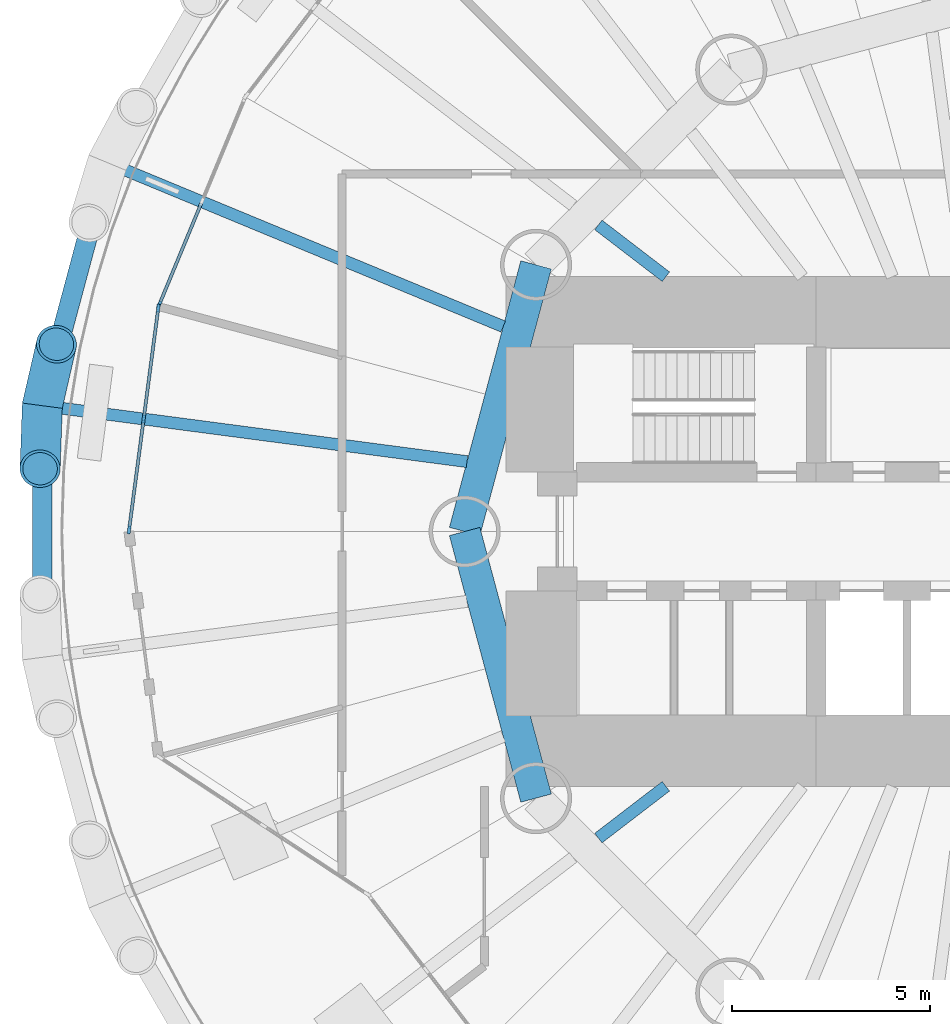
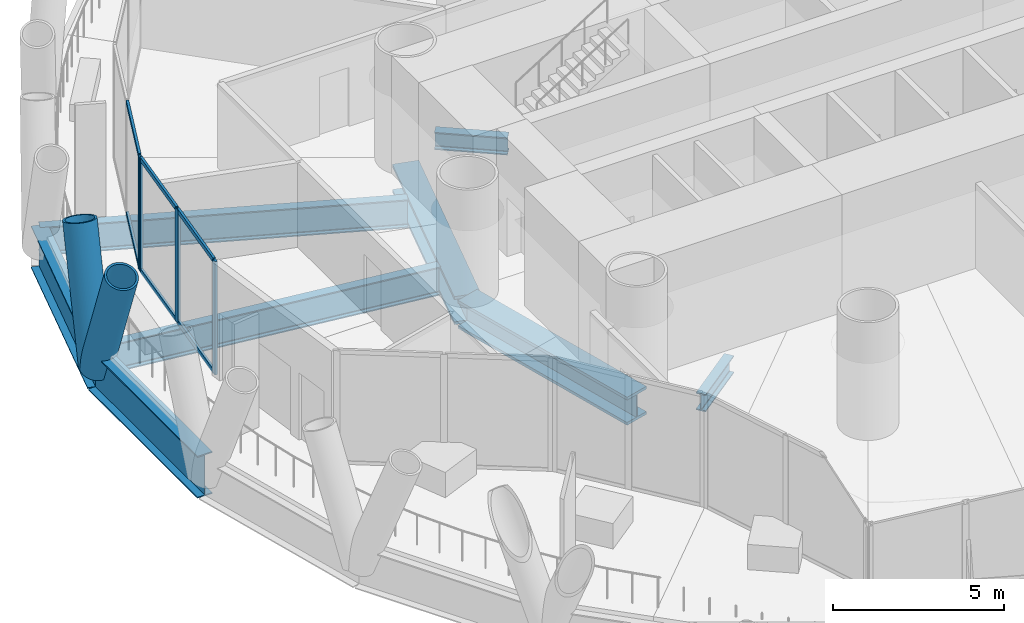
# One storey, part 3 of 14: 12 members, 8 beams, 2 elements without a shape of their own.
"""IFC4 building model written with IfcOpenShell, lengths in metres."""

from ifc_helpers import new_model, si_unit, direction, frame, origin, origin_2d, place, context, subcontext, project, spatial, rectangle, hollow_circle, i_section, extrude, material, material_profile, profile_set, type_object, element, aggregate, save


model = new_model("IFC4")

# Units and contexts
model_context = context("Model", 3, precision=1e-05, world=origin(), true_north=direction((0.0, 1.0)))
body_context = subcontext(model_context, "Body", "Model", "MODEL_VIEW")
ifc_project = project(units=[si_unit("LENGTHUNIT", "METRE"), si_unit("AREAUNIT", "SQUARE_METRE"), si_unit("VOLUMEUNIT", "CUBIC_METRE"), si_unit("PLANEANGLEUNIT", "RADIAN"), si_unit("MASSUNIT", "GRAM", prefix="KILO")], contexts=[model_context])

# Site, building, storey
site_placement = place(None, origin())
site = spatial("IfcSite", under=ifc_project, at=site_placement, CompositionType="ELEMENT")
building_placement = place(site_placement, origin())
building = spatial("IfcBuilding", under=site, at=building_placement, Name="Qaws Media Tower", CompositionType="ELEMENT")
storey_placement = place(building_placement, frame((0.0, 0.0, 185.60009765625)))
storey = spatial("IfcBuildingStorey", under=building, at=storey_placement, Name="L42", CompositionType="ELEMENT", Elevation=185.60009765625)

# Curtain wall, member
ifc_material_1 = material(Name="Aluminium and clear glass", Category="aluminium")
curtain_wall_type = type_object("IfcCurtainWallType", Name="Unitised curtain wall CW-B", PredefinedType="NOTDEFINED", material=ifc_material_1)
curtain_wall_1_placement = place(storey_placement, origin())
curtain_wall_1 = element("IfcCurtainWall", 1, at=curtain_wall_1_placement, inside=storey, type_object=curtain_wall_type, Name="CWB curtain wall L42-11", PredefinedType="NOTDEFINED")
ifc_material_2 = material(Name="Aluminium mullion", Category="aluminium")
ifc_material_profile_1 = material_profile(ifc_material_2, rectangle(XDim=0.080078125, YDim=0.199951171875, at=origin_2d()), Name="80x200")
ifc_profile_set_1 = profile_set([ifc_material_profile_1], Name="Aluminium mullion")
member_type_1 = type_object("IfcMemberType", Name="Curtain wall mullion 80x200", PredefinedType="MULLION", material=ifc_profile_set_1)
member_1_placement = place(storey_placement, frame((38.764892578125, 55.73095703125, 0.0), z_axis=(0.0, 0.0, 1.0), x_axis=(0.923879550478, -0.38268338899, 0.0)))
member_1 = element("IfcMember", 2, at=member_1_placement, type_object=member_type_1, Name="CWB mullion 3", PredefinedType="MULLION", context=body_context, shape_type="SweptSolid", body=[
    extrude(rectangle(XDim=0.080078125, YDim=0.199951171875, at=origin_2d()), origin(), (0.0, 0.0, 1.0), 4.039794921875),
])

# Curtain wall, members
curtain_wall_2_placement = place(storey_placement, origin())
curtain_wall_2 = element("IfcCurtainWall", 3, at=curtain_wall_2_placement, inside=storey, type_object=curtain_wall_type, Name="CWB curtain wall L42-12", PredefinedType="NOTDEFINED")
member_2_placement = place(storey_placement, frame((38.744384765625, 55.654296875, 0.0), z_axis=(0.0, 0.0, 1.0), x_axis=(0.991444857378, -0.130526222571, 0.0)))
member_2 = element("IfcMember", 4, at=member_2_placement, type_object=member_type_1, Name="CWB mullion 1", PredefinedType="MULLION", context=body_context, shape_type="SweptSolid", body=[
    extrude(rectangle(XDim=0.080078125, YDim=0.199951171875, at=origin_2d()), origin(), (0.0, 0.0, 1.0), 4.039794921875),
])
member_3_placement = place(storey_placement, frame((38.374755859375, 52.846923828125, 0.0), z_axis=(0.0, 0.0, 1.0), x_axis=(0.991444857378, -0.130526222571, 0.0)))
member_3 = element("IfcMember", 5, at=member_3_placement, type_object=member_type_1, Name="CWB mullion 2", PredefinedType="MULLION", context=body_context, shape_type="SweptSolid", body=[
    extrude(rectangle(XDim=0.080078125, YDim=0.199951171875, at=origin_2d()), origin(), (0.0, 0.0, 1.0), 4.039794921875),
])
member_4_placement = place(storey_placement, frame((38.005126953125, 50.03955078125, 0.0), z_axis=(0.0, 0.0, 1.0), x_axis=(0.991444857378, -0.130526222571, 0.0)))
member_4 = element("IfcMember", 6, at=member_4_placement, type_object=member_type_1, Name="CWB mullion 3", PredefinedType="MULLION", context=body_context, shape_type="SweptSolid", body=[
    extrude(rectangle(XDim=0.080078125, YDim=0.199951171875, at=origin_2d()), origin(), (0.0, 0.0, 1.0), 4.039794921875),
])

# Member
ifc_material_3 = material(Name="Aluminium transom", Category="aluminium")
ifc_material_profile_2 = material_profile(ifc_material_3, rectangle(XDim=0.080078125, YDim=0.159912109375, at=origin_2d()), Name="80x160")
ifc_profile_set_2 = profile_set([ifc_material_profile_2], Name="Aluminium transom")
member_type_2 = type_object("IfcMemberType", Name="Curtain wall transom 80x160", PredefinedType="USERDEFINED", material=ifc_profile_set_2)
member_5_placement = place(storey_placement, frame((39.833251953125, 58.31005859375, 0.039794921875), z_axis=(-0.382667844996, -0.923885988857, 0.0), x_axis=(0.923885988857, -0.382667844996, 0.0)))
member_5 = element("IfcMember", 7, at=member_5_placement, type_object=member_type_2, Name="CWB transom 2.1", ObjectType="TRANSOM", PredefinedType="USERDEFINED", context=body_context, shape_type="SweptSolid", body=[
    extrude(rectangle(XDim=0.080078125, YDim=0.159912109375, at=origin_2d()), origin(), (0.0, 0.0, 1.0), 2.751708984375),
])

member_6_placement = place(storey_placement, frame((39.833251953125, 58.31005859375, 4.0), z_axis=(-0.382667844996, -0.923885988857, 0.0), x_axis=(0.923885988857, -0.382667844996, 0.0)))
member_6 = element("IfcMember", 8, at=member_6_placement, type_object=member_type_2, Name="CWB transom 2.2", ObjectType="TRANSOM", PredefinedType="USERDEFINED", context=body_context, shape_type="SweptSolid", body=[
    extrude(rectangle(XDim=0.080078125, YDim=0.159912109375, at=origin_2d()), origin(), (0.0, 0.0, 1.0), 2.751708984375),
])

aggregate(curtain_wall_1, [member_1, member_5, member_6])

member_7_placement = place(storey_placement, frame((38.7392578125, 55.61474609375, 0.039794921875), z_axis=(-0.130518778133, -0.991445837429, 0.0), x_axis=(0.991445837429, -0.130518778133, 0.0)))
member_7 = element("IfcMember", 9, at=member_7_placement, type_object=member_type_2, Name="CWB transom 1.1", ObjectType="TRANSOM", PredefinedType="USERDEFINED", context=body_context, shape_type="SweptSolid", body=[
    extrude(rectangle(XDim=0.080078125, YDim=0.159912109375, at=origin_2d()), origin(), (0.0, 0.0, 1.0), 2.75146484375),
])

member_8_placement = place(storey_placement, frame((38.7392578125, 55.61474609375, 4.0), z_axis=(-0.130518778133, -0.991445837429, 0.0), x_axis=(0.991445837429, -0.130518778133, 0.0)))
member_8 = element("IfcMember", 10, at=member_8_placement, type_object=member_type_2, Name="CWB transom 1.2", ObjectType="TRANSOM", PredefinedType="USERDEFINED", context=body_context, shape_type="SweptSolid", body=[
    extrude(rectangle(XDim=0.080078125, YDim=0.159912109375, at=origin_2d()), origin(), (0.0, 0.0, 1.0), 2.75146484375),
])

member_9_placement = place(storey_placement, frame((38.36962890625, 52.807373046875, 0.039794921875), z_axis=(-0.130518778133, -0.991445837429, 0.0), x_axis=(0.991445837429, -0.130518778133, 0.0)))
member_9 = element("IfcMember", 11, at=member_9_placement, type_object=member_type_2, Name="CWB transom 2.1", ObjectType="TRANSOM", PredefinedType="USERDEFINED", context=body_context, shape_type="SweptSolid", body=[
    extrude(rectangle(XDim=0.080078125, YDim=0.159912109375, at=origin_2d()), origin(), (0.0, 0.0, 1.0), 2.75146484375),
])

member_10_placement = place(storey_placement, frame((38.36962890625, 52.807373046875, 4.0), z_axis=(-0.130518778133, -0.991445837429, 0.0), x_axis=(0.991445837429, -0.130518778133, 0.0)))
member_10 = element("IfcMember", 12, at=member_10_placement, type_object=member_type_2, Name="CWB transom 2.2", ObjectType="TRANSOM", PredefinedType="USERDEFINED", context=body_context, shape_type="SweptSolid", body=[
    extrude(rectangle(XDim=0.080078125, YDim=0.159912109375, at=origin_2d()), origin(), (0.0, 0.0, 1.0), 2.75146484375),
])

aggregate(curtain_wall_2, [member_2, member_3, member_4, member_7, member_8, member_9, member_10])

# Members
ifc_material_4 = material(Name="Steel S460", Category="steel")
ifc_material_profile_3 = material_profile(ifc_material_4, hollow_circle(Radius=0.508056640625, WallThickness=0.070068359375, at=origin_2d()), Name="CHS 1016x70")
ifc_profile_set_3 = profile_set([ifc_material_profile_3], Name="Steel S460")
member_type_3 = type_object("IfcMemberType", Name="Diagrid member CHS 1016x70", PredefinedType="USERDEFINED", material=ifc_profile_set_3)
for number, where, z_axis, x_axis, name in (
    (13, (35.808837890625, 53.184814453125, -0.91015625), (-0.012660356523, -0.35508768187, 0.93474726721), (0.999364995445, -0.035631529294, 0.0), "DG3 diagrid L42 A12"),
    (14, (35.808837890625, 53.184814453125, -0.91015625), (0.079710554572, 0.346281775248, 0.93473801657), (-0.974514753166, 0.224323417997, 0.0), "DG3 diagrid L42 B12"),
):
    element("IfcMember", number, at=place(storey_placement, frame(where, z_axis=z_axis, x_axis=x_axis)), inside=storey, type_object=member_type_3, Name=name, ObjectType="DIAGRID", PredefinedType="USERDEFINED", context=body_context, shape_type="SweptSolid", body=[
        extrude(hollow_circle(Radius=0.508056640625, WallThickness=0.070068359375, at=origin_2d()), origin(), (0.0, 0.0, 1.0), 4.4931640625),
    ])

# Beams
ifc_material_5 = material(Name="Steel S460", Category="steel")
ifc_material_profile_4 = material_profile(ifc_material_5, i_section(OverallWidth=0.5, OverallDepth=1.5, WebThickness=0.02001953125, FlangeThickness=0.0400390625, at=origin_2d()), Name="PG 1500x500")
ifc_profile_set_4 = profile_set([ifc_material_profile_4], Name="Steel S460")
beam_type_1 = type_object("IfcBeamType", Name="Edge ring beam PG 1500x500", PredefinedType="BEAM", material=ifc_profile_set_4)
for number, where, z_axis, x_axis, name in (
    (15, (37.457275390625, 59.33740234375, -0.91015625), (-0.258798031621, -0.965931456589, 0.0), (0.965931456589, -0.258798031621, 0.0), "RB4 edge ring beam L42-11"),
    (16, (35.808837890625, 53.184814453125, -0.91015625), (0.0, -1.0, 0.0), (1.0, 0.0, 0.0), "RB4 edge ring beam L42-12"),
):
    element("IfcBeam", number, at=place(storey_placement, frame(where, z_axis=z_axis, x_axis=x_axis)), inside=storey, type_object=beam_type_1, Name=name, PredefinedType="BEAM", context=body_context, shape_type="SweptSolid", body=[
        extrude(i_section(OverallWidth=0.5, OverallDepth=1.5, WebThickness=0.02001953125, FlangeThickness=0.0400390625, at=origin_2d()), origin(), (0.0, 0.0, 1.0), 6.36962890625),
    ])
ifc_material_6 = material(Name="Steel S460", Category="steel")
ifc_material_profile_5 = material_profile(ifc_material_6, i_section(OverallWidth=0.800048828125, OverallDepth=1.0, WebThickness=0.0400390625, FlangeThickness=0.10009765625, at=origin_2d()), Name="PG 1000x800")
ifc_profile_set_5 = profile_set([ifc_material_profile_5], Name="Steel S460")
beam_type_2 = type_object("IfcBeamType", Name="Inner ring girder PG 1000x800", PredefinedType="BEAM", material=ifc_profile_set_5)
for number, where, z_axis, x_axis, name in (
    (17, (48.30859375, 56.75, -0.66015625), (-0.258810593767, -0.965928090778, 0.0), (0.965928090778, -0.258810593767, 0.0), "B3 inner ring beam L42 I06-I07"),
    (18, (46.5, 50.0, -0.66015625), (0.258810593767, -0.965928090778, 0.0), (0.965928090778, 0.258810593767, 0.0), "B3 inner ring beam L42 I07-I08"),
):
    element("IfcBeam", number, at=place(storey_placement, frame(where, z_axis=z_axis, x_axis=x_axis)), inside=storey, type_object=beam_type_2, Name=name, PredefinedType="BEAM", context=body_context, shape_type="SweptSolid", body=[
        extrude(i_section(OverallWidth=0.800048828125, OverallDepth=1.0, WebThickness=0.0400390625, FlangeThickness=0.10009765625, at=origin_2d()), origin(), (0.0, 0.0, 1.0), 6.988037109375),
    ])
ifc_material_7 = material(Name="Steel S355", Category="steel")
ifc_material_profile_6 = material_profile(ifc_material_7, i_section(OverallWidth=0.302001953125, OverallDepth=1.008056640625, WebThickness=0.02099609375, FlangeThickness=0.0400390625, FilletRadius=0.030029296875, at=origin_2d()), Name="HE 1000 M")
ifc_profile_set_6 = profile_set([ifc_material_profile_6], Name="Steel S355")
beam_type_3 = type_object("IfcBeamType", Name="Radial beam HE 1000 M", PredefinedType="BEAM", material=ifc_profile_set_6)
for number, where, z_axis, x_axis, name in (
    (19, (47.475830078125, 55.187744140625, -0.6640625), (-0.923884847613, 0.382670600323, 0.0), (-0.382670600323, -0.923884847613, 0.0), "B1 radial beam L42 11"),
    (20, (46.56005859375, 51.769287109375, -0.6640625), (-0.991443640675, 0.130535464011, 0.0), (-0.130535464011, -0.991443640675, 0.0), "B1 radial beam L42 12"),
):
    element("IfcBeam", number, at=place(storey_placement, frame(where, z_axis=z_axis, x_axis=x_axis)), inside=storey, type_object=beam_type_3, Name=name, PredefinedType="BEAM", context=body_context, shape_type="SweptSolid", body=[
        extrude(i_section(OverallWidth=0.302001953125, OverallDepth=1.008056640625, WebThickness=0.02099609375, FlangeThickness=0.0400390625, FilletRadius=0.030029296875, at=origin_2d()), origin(), (0.0, 0.0, 1.0), 10.843994140625),
    ])
ifc_material_8 = material(Name="Steel S355", Category="steel")
ifc_material_profile_7 = material_profile(ifc_material_8, i_section(OverallWidth=0.304931640625, OverallDepth=0.6201171875, WebThickness=0.02099609375, FlangeThickness=0.0400390625, FilletRadius=0.027099609375, at=origin_2d()), Name="HE 600 M")
ifc_profile_set_7 = profile_set([ifc_material_profile_7], Name="Steel S355")
beam_type_4 = type_object("IfcBeamType", Name="Radial beam HE 600 M, core side", PredefinedType="BEAM", material=ifc_profile_set_7)
for number, where, z_axis, x_axis, name in (
    (21, (51.59423828125, 56.449951171875, -0.47021484375), (-0.793327149805, 0.608795559595, 0.0), (-0.608795559595, -0.793327149805, 0.0), "B2 radial beam L42 10"),
    (22, (51.59423828125, 43.550048828125, -0.47021484375), (-0.793327149805, -0.608795559595, 0.0), (0.608795559595, -0.793327149805, 0.0), "B2 radial beam L42 15"),
):
    element("IfcBeam", number, at=place(storey_placement, frame(where, z_axis=z_axis, x_axis=x_axis)), inside=storey, type_object=beam_type_4, Name=name, PredefinedType="BEAM", context=body_context, shape_type="SweptSolid", body=[
        extrude(i_section(OverallWidth=0.304931640625, OverallDepth=0.6201171875, WebThickness=0.02099609375, FlangeThickness=0.0400390625, FilletRadius=0.027099609375, at=origin_2d()), origin(), (0.0, 0.0, 1.0), 2.15380859375),
    ])

save(model, "model.ifc")
